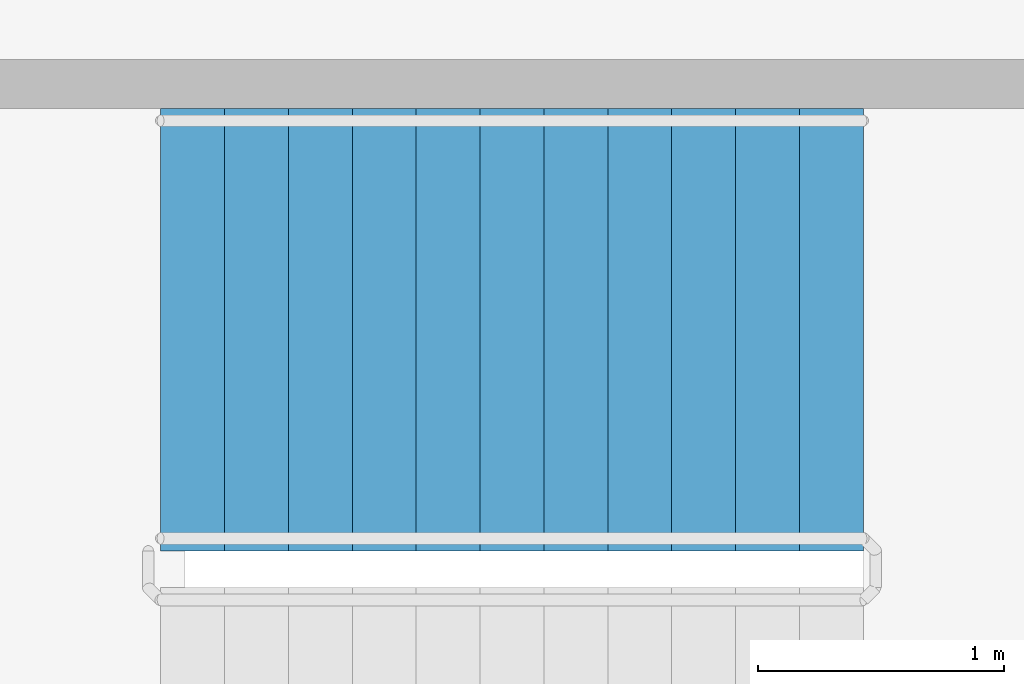
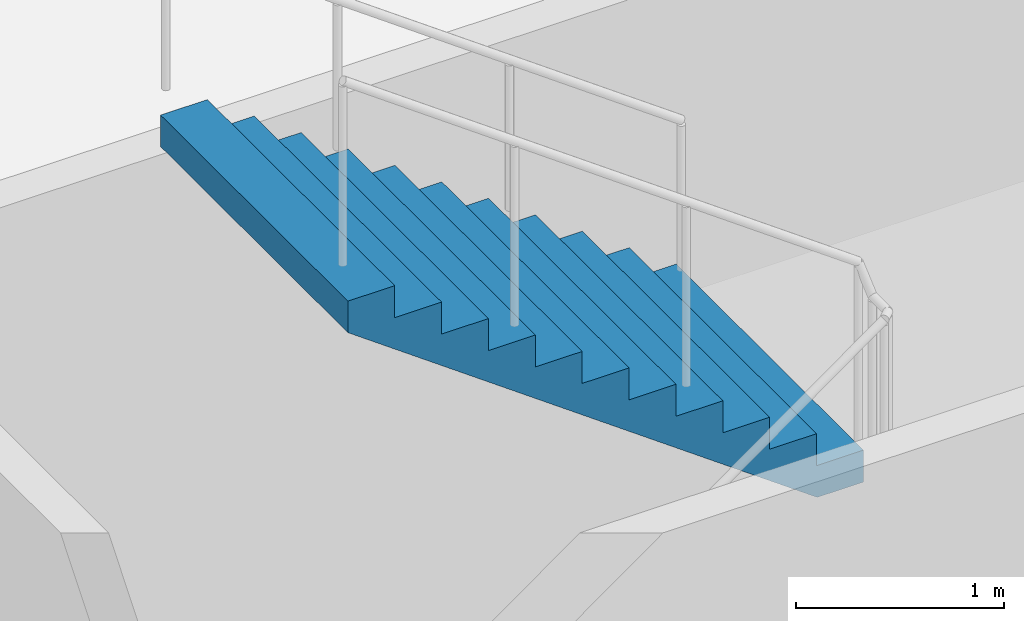
# One storey, part 37 of 51: 1 stair flight, 1 element without a shape of its own.
"""IFC4 building model written with IfcOpenShell, lengths in metres."""

import ifcopenshell
import ifcopenshell.guid

model = None  # the IFC model being written
_history = None  # IfcOwnerHistory: only IFC2X3 demands one
_inside = {}  # id of a spatial element -> (the spatial element, [elements in it])
_under = {}  # id of a project, library or spatial element -> (it, [spatial elements below it])
_declared = {}  # id of a project -> (the project, [libraries it declares])
_typed = {}  # id of a type object -> (the type object, [elements of that type])
_made_of = {}  # id of a material, layer set ... -> (it, [elements and type objects made of it])


def new_model(schema):
    """Start an empty IFC model of exactly this schema.

    Asked for "IFC4X3", IfcOpenShell would pick the latest addendum, in which some entities
    have other attributes; the version numbers below select the first issue.
    IFC2X3 requires an IfcOwnerHistory on every rooted entity: one is made here for all.
    """
    global model, _history
    if schema == "IFC4X3":
        model = ifcopenshell.file(schema_version=(4, 3, 0, 0))
    else:
        model = ifcopenshell.file(schema=schema)
    _inside.clear()
    _under.clear()
    _declared.clear()
    _typed.clear()
    _made_of.clear()
    _history = None
    if model.schema == "IFC2X3":
        org = make("IfcOrganization", Name="unknown")
        user = make(
            "IfcPersonAndOrganization",
            ThePerson=make("IfcPerson", FamilyName="unknown"),
            TheOrganization=org,
        )
        app = make(
            "IfcApplication",
            ApplicationDeveloper=org,
            Version="unknown",
            ApplicationFullName="unknown",
            ApplicationIdentifier="unknown",
        )
        _history = make(
            "IfcOwnerHistory",
            OwningUser=user,
            OwningApplication=app,
            ChangeAction="ADDED",
            CreationDate=0,
        )
    return model


def make(cls, **values):
    """One entity of the class cls with the attributes given. An attribute that is None is left unset."""
    return model.create_entity(
        cls, **{name: value for name, value in values.items() if value is not None}
    )


def rooted(cls, **values):
    """An entity with a GlobalId (a new one), such as an element, a storey or a relation."""
    return make(cls, GlobalId=ifcopenshell.guid.new(), OwnerHistory=_history, **values)


def si_unit(unit_type, name, prefix=None):
    """IfcSIUnit, for example si_unit("LENGTHUNIT", "METRE", prefix="MILLI")."""
    return make("IfcSIUnit", UnitType=unit_type, Prefix=prefix, Name=name)


def assignment(units):
    """IfcUnitAssignment: the units of a project."""
    return None if units is None else make("IfcUnitAssignment", Units=units)


def point(xyz):
    """IfcCartesianPoint."""
    return None if xyz is None else make("IfcCartesianPoint", Coordinates=xyz)


def direction(xyz):
    """IfcDirection."""
    return None if xyz is None else make("IfcDirection", DirectionRatios=xyz)


def frame(location, z_axis=None, x_axis=None):
    """IfcAxis2Placement3D, a coordinate frame: its origin and axes. An axis left out is left unset."""
    return make(
        "IfcAxis2Placement3D",
        Location=point(location),
        Axis=direction(z_axis),
        RefDirection=direction(x_axis),
    )


def origin():
    """The frame at (0, 0, 0) with its axes left unset."""
    return frame((0.0, 0.0, 0.0))


def place(relative_to, where):
    """IfcLocalPlacement: puts the frame where relative to a parent placement (None: the world)."""
    return make(
        "IfcLocalPlacement", PlacementRelTo=relative_to, RelativePlacement=where
    )


def context(
    kind, dimensions, precision=None, world=None, true_north=None, identifier=None
):
    """IfcGeometricRepresentationContext, for example the 3D "Model" context."""
    return make(
        "IfcGeometricRepresentationContext",
        ContextIdentifier=identifier,
        ContextType=kind,
        CoordinateSpaceDimension=dimensions,
        Precision=precision,
        WorldCoordinateSystem=world,
        TrueNorth=true_north,
    )


def subcontext(parent, identifier, kind, view, scale=None):
    """IfcGeometricRepresentationSubContext, for example "Body" below "Model"."""
    return make(
        "IfcGeometricRepresentationSubContext",
        ContextIdentifier=identifier,
        ContextType=kind,
        ParentContext=parent,
        TargetScale=scale,
        TargetView=view,
    )


def project(units=None, contexts=None):
    """IfcProject with its units and contexts."""
    return rooted(
        "IfcProject",
        Name="project",
        RepresentationContexts=contexts,
        UnitsInContext=assignment(units),
    )


def spatial(cls, under=None, at=None, **own):
    """A site, building, storey or space (cls), placed at a placement, below another one or the project."""
    s = rooted(cls, ObjectPlacement=at, **own)
    if under is not None:
        _under.setdefault(under.id(), (under, []))[1].append(s)
    return s


def faces_of(points, faces, orient=None, outer=None):
    """IfcFace entities. A face is a list of loops; a loop is a list of indices into points, from 0.

    orient and outer hold one flag for each loop. By default every Orientation is true, the
    first loop of a face is its IfcFaceOuterBound and the others are IfcFaceBound.
    """
    made = []
    for i, loops in enumerate(faces):
        bounds = []
        for j, loop in enumerate(loops):
            is_outer = j == 0 if outer is None else outer[i][j]
            bounds.append(
                make(
                    "IfcFaceOuterBound" if is_outer else "IfcFaceBound",
                    Bound=make("IfcPolyLoop", Polygon=[points[k] for k in loop]),
                    Orientation=True if orient is None else orient[i][j],
                )
            )
        made.append(make("IfcFace", Bounds=bounds))
    return made


def faceted_brep(points, faces, orient=None, outer=None, voids=None):
    """IfcFacetedBrep: a solid bounded by flat faces; with voids (closed shells), ...WithVoids."""
    shared = [point(p) for p in points]
    hull = make("IfcClosedShell", CfsFaces=faces_of(shared, faces, orient, outer))
    if voids is None:
        return make("IfcFacetedBrep", Outer=hull)
    return make(
        "IfcFacetedBrepWithVoids",
        Outer=hull,
        Voids=[
            make(cls, CfsFaces=faces_of(shared, fs, o, b)) for cls, fs, o, b in voids
        ],
    )


def shape(context_of_items, identifier, shape_type, items):
    """IfcShapeRepresentation: the items that make up one representation, for example the "Body"."""
    return make(
        "IfcShapeRepresentation",
        ContextOfItems=context_of_items,
        RepresentationIdentifier=identifier,
        RepresentationType=shape_type,
        Items=items,
    )


def material(Name=None, Category=None):
    """IfcMaterial."""
    return make("IfcMaterial", Name=Name, Category=Category)


def made_of(thing, what):
    """Note that an element or type object is made of a material, layer set ...; save() writes the relation."""
    if what is not None:
        _made_of.setdefault(what.id(), (what, []))[1].append(thing)
    return thing


def type_object(cls, material=None, **own):
    """A type object (cls), such as IfcWallType, which elements share."""
    return made_of(rooted(cls, **own), material)


def element(
    cls,
    number,
    at=None,
    inside=None,
    cuts=None,
    type_object=None,
    material=None,
    context=None,
    identifier="Body",
    shape_type=None,
    held_by="IfcProductDefinitionShape",
    body=None,
    shapes=None,
    **own,
):
    """One element of the class cls, such as IfcWall. Its Tag is "e" and its number.

    at: its placement. inside: the storey or other place that contains it. cuts: it is an
    opening in that element (IfcRelVoidsElement). A single representation is given by context,
    identifier, shape_type and body (its items); several are given by shapes. held_by: the class
    of the entity that holds the representations. save() writes the other relations.
    """
    e = rooted(cls, Tag="e%d" % number, ObjectPlacement=at, **own)
    if body is not None:
        shapes = [shape(context, identifier, shape_type, body)]
    if shapes is not None:
        e.Representation = make(held_by, Representations=shapes)
    if inside is not None:
        _inside.setdefault(inside.id(), (inside, []))[1].append(e)
    if cuts is not None:
        rooted(
            "IfcRelVoidsElement", RelatingBuildingElement=cuts, RelatedOpeningElement=e
        )
    if type_object is not None:
        _typed.setdefault(type_object.id(), (type_object, []))[1].append(e)
    return made_of(e, material)


def aggregate(whole, parts):
    """IfcRelAggregates: a whole, such as a stair, and the parts it consists of."""
    return rooted("IfcRelAggregates", RelatingObject=whole, RelatedObjects=parts)


def save(model, path):
    """Write the relations noted so far, then the file.

    IfcRelAggregates (storeys below a building ...), IfcRelContainedInSpatialStructure (elements
    in a storey), IfcRelDefinesByType, IfcRelAssociatesMaterial and IfcRelDeclares: one each for
    every whole, place, type object, material and project.
    """
    for whole, parts in _under.values():
        aggregate(whole, parts)
    for where, things in _inside.values():
        rooted(
            "IfcRelContainedInSpatialStructure",
            RelatedElements=things,
            RelatingStructure=where,
        )
    for kind, things in _typed.values():
        rooted("IfcRelDefinesByType", RelatedObjects=things, RelatingType=kind)
    for what, things in _made_of.values():
        rooted("IfcRelAssociatesMaterial", RelatedObjects=things, RelatingMaterial=what)
    for by, libraries in _declared.values():
        rooted("IfcRelDeclares", RelatingContext=by, RelatedDefinitions=libraries)
    model.write(path)


model = new_model("IFC4")

# Units and contexts
model_context = context("Model", 3, precision=1e-05, world=origin(), true_north=direction((0.0, 1.0)))
body_context = subcontext(model_context, "Body", "Model", "MODEL_VIEW")
ifc_project = project(units=[si_unit("LENGTHUNIT", "METRE"), si_unit("AREAUNIT", "SQUARE_METRE"), si_unit("VOLUMEUNIT", "CUBIC_METRE"), si_unit("PLANEANGLEUNIT", "RADIAN"), si_unit("MASSUNIT", "GRAM", prefix="KILO")], contexts=[model_context])

# Site, building, storey
site_placement = place(None, origin())
site = spatial("IfcSite", under=ifc_project, at=site_placement, CompositionType="ELEMENT")
building_placement = place(site_placement, origin())
building = spatial("IfcBuilding", under=site, at=building_placement, Name="Ipe Terrace Towers", CompositionType="ELEMENT")
storey_placement = place(building_placement, frame((0.0, 0.0, 15.5)))
storey = spatial("IfcBuildingStorey", under=building, at=storey_placement, Name="L03", CompositionType="ELEMENT", Elevation=15.5)

# Stair, stair flight
ifc_material_1 = material(Name="Concrete C30/37", Category="concrete")
stair_type = type_object("IfcStairType", Name="Protected exit stair", PredefinedType="HALF_TURN_STAIR", material=ifc_material_1)
stair_placement = place(storey_placement, origin())
stair = element("IfcStair", 1, at=stair_placement, inside=storey, type_object=stair_type, Name="L03 Podium exit stair PS5", PredefinedType="HALF_TURN_STAIR")
ifc_material_2 = material(Name="Concrete C30/37", Category="concrete")
stair_flight_type = type_object("IfcStairFlightType", Name="Exit stair flight 1800", PredefinedType="STRAIGHT", material=ifc_material_2)
stair_flight_placement = place(storey_placement, frame((-0.889892578125, -20.550048828125, 2.25), z_axis=(0.0, 0.0, 1.0), x_axis=(-1.0, 0.0, 0.0)))
stair_flight = element("IfcStairFlight", 2, at=stair_flight_placement, type_object=stair_flight_type, Name="PS5 flight 2", NumberOfRisers=12, NumberOfTreads=11, PredefinedType="STRAIGHT", RiserHeight=0.1875, TreadLength=0.26, context=body_context, shape_type="Brep", body=[
    faceted_brep([(0.25634765625, -0.89990234375, 0.0), (2.860107421875, -0.89990234375, 1.877685546875), (2.860107421875, -0.89990234375, 2.0625), (2.60009765625, -0.89990234375, 2.0625), (2.60009765625, -0.89990234375, 1.875), (2.340087890625, -0.89990234375, 1.875), (2.340087890625, -0.89990234375, 1.6875), (2.080078125, -0.89990234375, 1.6875), (2.080078125, -0.89990234375, 1.5), (1.820068359375, -0.89990234375, 1.5), (1.820068359375, -0.89990234375, 1.3125), (1.56005859375, -0.89990234375, 1.3125), (1.56005859375, -0.89990234375, 1.125), (1.300048828125, -0.89990234375, 1.125), (1.300048828125, -0.89990234375, 0.9375), (1.0400390625, -0.89990234375, 0.9375), (1.0400390625, -0.89990234375, 0.75), (0.780029296875, -0.89990234375, 0.75), (0.780029296875, -0.89990234375, 0.5625), (0.52001953125, -0.89990234375, 0.5625), (0.52001953125, -0.89990234375, 0.375), (0.260009765625, -0.89990234375, 0.375), (0.260009765625, -0.89990234375, 0.1875), (0.0, -0.89990234375, 0.1875), (0.0, -0.89990234375, 0.0), (0.0, 0.89990234375, 0.0), (0.0, 0.89990234375, 0.1875), (0.260009765625, 0.89990234375, 0.1875), (0.260009765625, 0.89990234375, 0.375), (0.52001953125, 0.89990234375, 0.375), (0.52001953125, 0.89990234375, 0.5625), (0.780029296875, 0.89990234375, 0.5625), (0.780029296875, 0.89990234375, 0.75), (1.0400390625, 0.89990234375, 0.75), (1.0400390625, 0.89990234375, 0.9375), (1.300048828125, 0.89990234375, 0.9375), (1.300048828125, 0.89990234375, 1.125), (1.56005859375, 0.89990234375, 1.125), (1.56005859375, 0.89990234375, 1.3125), (1.820068359375, 0.89990234375, 1.3125), (1.820068359375, 0.89990234375, 1.5), (2.080078125, 0.89990234375, 1.5), (2.080078125, 0.89990234375, 1.6875), (2.340087890625, 0.89990234375, 1.6875), (2.340087890625, 0.89990234375, 1.875), (2.60009765625, 0.89990234375, 1.875), (2.60009765625, 0.89990234375, 2.0625), (2.860107421875, 0.89990234375, 2.0625), (2.860107421875, 0.89990234375, 1.877685546875), (0.25634765625, 0.89990234375, 0.0), (0.0, -0.300048828125, 0.1875), (0.0, -0.1201171875, 0.1875), (0.0, -0.06005859375, 0.1875), (0.0, -0.030029296875, 0.1875), (0.0, -0.010009765625, 0.1875), (0.0, 0.0, 0.1875), (0.0, 0.010009765625, 0.1875), (0.0, 0.030029296875, 0.1875), (0.0, 0.06005859375, 0.1875), (0.0, 0.1201171875, 0.1875), (0.0, 0.300048828125, 0.1875), (0.0, 0.300048828125, 0.0), (0.0, 0.1201171875, 0.0), (0.0, 0.06005859375, 0.0), (0.0, 0.030029296875, 0.0), (0.0, 0.010009765625, 0.0), (0.0, 0.0, 0.0), (0.0, -0.010009765625, 0.0), (0.0, -0.030029296875, 0.0), (0.0, -0.06005859375, 0.0), (0.0, -0.1201171875, 0.0), (0.0, -0.300048828125, 0.0), (0.260009765625, -0.300048828125, 0.1875), (0.260009765625, -0.1201171875, 0.1875), (0.260009765625, -0.06005859375, 0.1875), (0.260009765625, -0.030029296875, 0.1875), (0.260009765625, -0.010009765625, 0.1875), (0.260009765625, 0.0, 0.1875), (0.260009765625, 0.010009765625, 0.1875), (0.260009765625, 0.030029296875, 0.1875), (0.260009765625, 0.06005859375, 0.1875), (0.260009765625, 0.1201171875, 0.1875), (0.260009765625, 0.300048828125, 0.1875), (0.260009765625, -0.300048828125, 0.375), (0.260009765625, -0.1201171875, 0.375), (0.260009765625, -0.06005859375, 0.375), (0.260009765625, -0.030029296875, 0.375), (0.260009765625, -0.010009765625, 0.375), (0.260009765625, 0.0, 0.375), (0.260009765625, 0.010009765625, 0.375), (0.260009765625, 0.030029296875, 0.375), (0.260009765625, 0.06005859375, 0.375), (0.260009765625, 0.1201171875, 0.375), (0.260009765625, 0.300048828125, 0.375), (0.52001953125, -0.300048828125, 0.375), (0.52001953125, -0.1201171875, 0.375), (0.52001953125, -0.06005859375, 0.375), (0.52001953125, -0.030029296875, 0.375), (0.52001953125, -0.010009765625, 0.375), (0.52001953125, 0.0, 0.375), (0.52001953125, 0.010009765625, 0.375), (0.52001953125, 0.030029296875, 0.375), (0.52001953125, 0.06005859375, 0.375), (0.52001953125, 0.1201171875, 0.375), (0.52001953125, 0.300048828125, 0.375), (0.52001953125, -0.300048828125, 0.5625), (0.52001953125, -0.1201171875, 0.5625), (0.52001953125, -0.06005859375, 0.5625), (0.52001953125, -0.030029296875, 0.5625), (0.52001953125, -0.010009765625, 0.5625), (0.52001953125, 0.0, 0.5625), (0.52001953125, 0.010009765625, 0.5625), (0.52001953125, 0.030029296875, 0.5625), (0.52001953125, 0.06005859375, 0.5625), (0.52001953125, 0.1201171875, 0.5625), (0.52001953125, 0.300048828125, 0.5625), (0.780029296875, -0.300048828125, 0.5625), (0.780029296875, -0.1201171875, 0.5625), (0.780029296875, -0.06005859375, 0.5625), (0.780029296875, -0.030029296875, 0.5625), (0.780029296875, -0.010009765625, 0.5625), (0.780029296875, 0.0, 0.5625), (0.780029296875, 0.010009765625, 0.5625), (0.780029296875, 0.030029296875, 0.5625), (0.780029296875, 0.06005859375, 0.5625), (0.780029296875, 0.1201171875, 0.5625), (0.780029296875, 0.300048828125, 0.5625), (0.780029296875, -0.300048828125, 0.75), (0.780029296875, -0.1201171875, 0.75), (0.780029296875, -0.06005859375, 0.75), (0.780029296875, -0.030029296875, 0.75), (0.780029296875, -0.010009765625, 0.75), (0.780029296875, 0.0, 0.75), (0.780029296875, 0.010009765625, 0.75), (0.780029296875, 0.030029296875, 0.75), (0.780029296875, 0.06005859375, 0.75), (0.780029296875, 0.1201171875, 0.75), (0.780029296875, 0.300048828125, 0.75), (1.0400390625, -0.300048828125, 0.75), (1.0400390625, -0.1201171875, 0.75), (1.0400390625, -0.06005859375, 0.75), (1.0400390625, -0.030029296875, 0.75), (1.0400390625, -0.010009765625, 0.75), (1.0400390625, 0.0, 0.75), (1.0400390625, 0.010009765625, 0.75), (1.0400390625, 0.030029296875, 0.75), (1.0400390625, 0.06005859375, 0.75), (1.0400390625, 0.1201171875, 0.75), (1.0400390625, 0.300048828125, 0.75), (1.0400390625, -0.300048828125, 0.9375), (1.0400390625, -0.1201171875, 0.9375), (1.0400390625, -0.06005859375, 0.9375), (1.0400390625, -0.030029296875, 0.9375), (1.0400390625, -0.010009765625, 0.9375), (1.0400390625, 0.0, 0.9375), (1.0400390625, 0.010009765625, 0.9375), (1.0400390625, 0.030029296875, 0.9375), (1.0400390625, 0.06005859375, 0.9375), (1.0400390625, 0.1201171875, 0.9375), (1.0400390625, 0.300048828125, 0.9375), (1.300048828125, -0.300048828125, 0.9375), (1.300048828125, -0.1201171875, 0.9375), (1.300048828125, -0.06005859375, 0.9375), (1.300048828125, -0.030029296875, 0.9375), (1.300048828125, -0.010009765625, 0.9375), (1.300048828125, 0.0, 0.9375), (1.300048828125, 0.010009765625, 0.9375), (1.300048828125, 0.030029296875, 0.9375), (1.300048828125, 0.06005859375, 0.9375), (1.300048828125, 0.1201171875, 0.9375), (1.300048828125, 0.300048828125, 0.9375), (1.300048828125, -0.300048828125, 1.125), (1.300048828125, -0.1201171875, 1.125), (1.300048828125, -0.06005859375, 1.125), (1.300048828125, -0.030029296875, 1.125), (1.300048828125, -0.010009765625, 1.125), (1.300048828125, 0.0, 1.125), (1.300048828125, 0.010009765625, 1.125), (1.300048828125, 0.030029296875, 1.125), (1.300048828125, 0.06005859375, 1.125), (1.300048828125, 0.1201171875, 1.125), (1.300048828125, 0.300048828125, 1.125), (1.56005859375, -0.300048828125, 1.125), (1.56005859375, -0.1201171875, 1.125), (1.56005859375, -0.06005859375, 1.125), (1.56005859375, -0.030029296875, 1.125), (1.56005859375, -0.010009765625, 1.125), (1.56005859375, 0.0, 1.125), (1.56005859375, 0.010009765625, 1.125), (1.56005859375, 0.030029296875, 1.125), (1.56005859375, 0.06005859375, 1.125), (1.56005859375, 0.1201171875, 1.125), (1.56005859375, 0.300048828125, 1.125), (1.56005859375, -0.300048828125, 1.3125), (1.56005859375, -0.1201171875, 1.3125), (1.56005859375, -0.06005859375, 1.3125), (1.56005859375, -0.030029296875, 1.3125), (1.56005859375, -0.010009765625, 1.3125), (1.56005859375, 0.0, 1.3125), (1.56005859375, 0.010009765625, 1.3125), (1.56005859375, 0.030029296875, 1.3125), (1.56005859375, 0.06005859375, 1.3125), (1.56005859375, 0.1201171875, 1.3125), (1.56005859375, 0.300048828125, 1.3125), (1.820068359375, -0.300048828125, 1.3125), (1.820068359375, -0.1201171875, 1.3125), (1.820068359375, -0.06005859375, 1.3125), (1.820068359375, -0.030029296875, 1.3125), (1.820068359375, -0.010009765625, 1.3125), (1.820068359375, 0.0, 1.3125), (1.820068359375, 0.010009765625, 1.3125), (1.820068359375, 0.030029296875, 1.3125), (1.820068359375, 0.06005859375, 1.3125), (1.820068359375, 0.1201171875, 1.3125), (1.820068359375, 0.300048828125, 1.3125), (1.820068359375, -0.300048828125, 1.5), (1.820068359375, -0.1201171875, 1.5), (1.820068359375, -0.06005859375, 1.5), (1.820068359375, -0.030029296875, 1.5), (1.820068359375, -0.010009765625, 1.5), (1.820068359375, 0.0, 1.5), (1.820068359375, 0.010009765625, 1.5), (1.820068359375, 0.030029296875, 1.5), (1.820068359375, 0.06005859375, 1.5), (1.820068359375, 0.1201171875, 1.5), (1.820068359375, 0.300048828125, 1.5), (2.080078125, -0.300048828125, 1.5), (2.080078125, -0.1201171875, 1.5), (2.080078125, -0.06005859375, 1.5), (2.080078125, -0.030029296875, 1.5), (2.080078125, -0.010009765625, 1.5), (2.080078125, 0.0, 1.5), (2.080078125, 0.010009765625, 1.5), (2.080078125, 0.030029296875, 1.5), (2.080078125, 0.06005859375, 1.5), (2.080078125, 0.1201171875, 1.5), (2.080078125, 0.300048828125, 1.5), (2.080078125, -0.300048828125, 1.6875), (2.080078125, -0.1201171875, 1.6875), (2.080078125, -0.06005859375, 1.6875), (2.080078125, -0.030029296875, 1.6875), (2.080078125, -0.010009765625, 1.6875), (2.080078125, 0.0, 1.6875), (2.080078125, 0.010009765625, 1.6875), (2.080078125, 0.030029296875, 1.6875), (2.080078125, 0.06005859375, 1.6875), (2.080078125, 0.1201171875, 1.6875), (2.080078125, 0.300048828125, 1.6875), (2.340087890625, -0.300048828125, 1.6875), (2.340087890625, -0.1201171875, 1.6875), (2.340087890625, -0.06005859375, 1.6875), (2.340087890625, -0.030029296875, 1.6875), (2.340087890625, -0.010009765625, 1.6875), (2.340087890625, 0.0, 1.6875), (2.340087890625, 0.010009765625, 1.6875), (2.340087890625, 0.030029296875, 1.6875), (2.340087890625, 0.06005859375, 1.6875), (2.340087890625, 0.1201171875, 1.6875), (2.340087890625, 0.300048828125, 1.6875), (2.340087890625, -0.300048828125, 1.875), (2.340087890625, -0.1201171875, 1.875), (2.340087890625, -0.06005859375, 1.875), (2.340087890625, -0.030029296875, 1.875), (2.340087890625, -0.010009765625, 1.875), (2.340087890625, 0.0, 1.875), (2.340087890625, 0.010009765625, 1.875), (2.340087890625, 0.030029296875, 1.875), (2.340087890625, 0.06005859375, 1.875), (2.340087890625, 0.1201171875, 1.875), (2.340087890625, 0.300048828125, 1.875), (2.60009765625, -0.300048828125, 1.875), (2.60009765625, -0.1201171875, 1.875), (2.60009765625, -0.06005859375, 1.875), (2.60009765625, -0.030029296875, 1.875), (2.60009765625, -0.010009765625, 1.875), (2.60009765625, 0.0, 1.875), (2.60009765625, 0.010009765625, 1.875), (2.60009765625, 0.030029296875, 1.875), (2.60009765625, 0.06005859375, 1.875), (2.60009765625, 0.1201171875, 1.875), (2.60009765625, 0.300048828125, 1.875), (2.60009765625, -0.300048828125, 2.0625), (2.60009765625, -0.1201171875, 2.0625), (2.60009765625, -0.06005859375, 2.0625), (2.60009765625, -0.030029296875, 2.0625), (2.60009765625, -0.010009765625, 2.0625), (2.60009765625, 0.0, 2.0625), (2.60009765625, 0.010009765625, 2.0625), (2.60009765625, 0.030029296875, 2.0625), (2.60009765625, 0.06005859375, 2.0625), (2.60009765625, 0.1201171875, 2.0625), (2.60009765625, 0.300048828125, 2.0625), (2.860107421875, -0.300048828125, 2.0625), (2.860107421875, -0.1201171875, 2.0625), (2.860107421875, -0.06005859375, 2.0625), (2.860107421875, -0.030029296875, 2.0625), (2.860107421875, -0.010009765625, 2.0625), (2.860107421875, 0.0, 2.0625), (2.860107421875, 0.010009765625, 2.0625), (2.860107421875, 0.030029296875, 2.0625), (2.860107421875, 0.06005859375, 2.0625), (2.860107421875, 0.1201171875, 2.0625), (2.860107421875, 0.300048828125, 2.0625), (2.860107421875, -0.300048828125, 1.877685546875), (2.860107421875, -0.1201171875, 1.877685546875), (2.860107421875, -0.06005859375, 1.877685546875), (2.860107421875, -0.030029296875, 1.877685546875), (2.860107421875, -0.010009765625, 1.877685546875), (2.860107421875, 0.0, 1.877685546875), (2.860107421875, 0.010009765625, 1.877685546875), (2.860107421875, 0.030029296875, 1.877685546875), (2.860107421875, 0.06005859375, 1.877685546875), (2.860107421875, 0.1201171875, 1.877685546875), (2.860107421875, 0.300048828125, 1.877685546875), (0.25634765625, -0.300048828125, 0.0), (0.25634765625, -0.1201171875, 0.0), (0.25634765625, -0.06005859375, 0.0), (0.25634765625, -0.030029296875, 0.0), (0.25634765625, -0.010009765625, 0.0), (0.25634765625, 0.0, 0.0), (0.25634765625, 0.010009765625, 0.0), (0.25634765625, 0.030029296875, 0.0), (0.25634765625, 0.06005859375, 0.0), (0.25634765625, 0.1201171875, 0.0), (0.25634765625, 0.300048828125, 0.0)], [[[0, 1, 2, 3, 4, 5, 6, 7, 8, 9, 10, 11, 12, 13, 14, 15, 16, 17, 18, 19, 20, 21, 22, 23, 24]], [[25, 26, 27, 28, 29, 30, 31, 32, 33, 34, 35, 36, 37, 38, 39, 40, 41, 42, 43, 44, 45, 46, 47, 48, 49]], [[23, 50, 51, 52, 53, 54, 55, 56, 57, 58, 59, 60, 26, 25, 61, 62, 63, 64, 65, 66, 67, 68, 69, 70, 71, 24]], [[22, 72, 73, 74, 75, 76, 77, 78, 79, 80, 81, 82, 27, 26, 60, 59, 58, 57, 56, 55, 54, 53, 52, 51, 50, 23]], [[21, 83, 84, 85, 86, 87, 88, 89, 90, 91, 92, 93, 28, 27, 82, 81, 80, 79, 78, 77, 76, 75, 74, 73, 72, 22]], [[20, 94, 95, 96, 97, 98, 99, 100, 101, 102, 103, 104, 29, 28, 93, 92, 91, 90, 89, 88, 87, 86, 85, 84, 83, 21]], [[19, 105, 106, 107, 108, 109, 110, 111, 112, 113, 114, 115, 30, 29, 104, 103, 102, 101, 100, 99, 98, 97, 96, 95, 94, 20]], [[18, 116, 117, 118, 119, 120, 121, 122, 123, 124, 125, 126, 31, 30, 115, 114, 113, 112, 111, 110, 109, 108, 107, 106, 105, 19]], [[17, 127, 128, 129, 130, 131, 132, 133, 134, 135, 136, 137, 32, 31, 126, 125, 124, 123, 122, 121, 120, 119, 118, 117, 116, 18]], [[16, 138, 139, 140, 141, 142, 143, 144, 145, 146, 147, 148, 33, 32, 137, 136, 135, 134, 133, 132, 131, 130, 129, 128, 127, 17]], [[15, 149, 150, 151, 152, 153, 154, 155, 156, 157, 158, 159, 34, 33, 148, 147, 146, 145, 144, 143, 142, 141, 140, 139, 138, 16]], [[14, 160, 161, 162, 163, 164, 165, 166, 167, 168, 169, 170, 35, 34, 159, 158, 157, 156, 155, 154, 153, 152, 151, 150, 149, 15]], [[13, 171, 172, 173, 174, 175, 176, 177, 178, 179, 180, 181, 36, 35, 170, 169, 168, 167, 166, 165, 164, 163, 162, 161, 160, 14]], [[12, 182, 183, 184, 185, 186, 187, 188, 189, 190, 191, 192, 37, 36, 181, 180, 179, 178, 177, 176, 175, 174, 173, 172, 171, 13]], [[11, 193, 194, 195, 196, 197, 198, 199, 200, 201, 202, 203, 38, 37, 192, 191, 190, 189, 188, 187, 186, 185, 184, 183, 182, 12]], [[10, 204, 205, 206, 207, 208, 209, 210, 211, 212, 213, 214, 39, 38, 203, 202, 201, 200, 199, 198, 197, 196, 195, 194, 193, 11]], [[9, 215, 216, 217, 218, 219, 220, 221, 222, 223, 224, 225, 40, 39, 214, 213, 212, 211, 210, 209, 208, 207, 206, 205, 204, 10]], [[8, 226, 227, 228, 229, 230, 231, 232, 233, 234, 235, 236, 41, 40, 225, 224, 223, 222, 221, 220, 219, 218, 217, 216, 215, 9]], [[7, 237, 238, 239, 240, 241, 242, 243, 244, 245, 246, 247, 42, 41, 236, 235, 234, 233, 232, 231, 230, 229, 228, 227, 226, 8]], [[6, 248, 249, 250, 251, 252, 253, 254, 255, 256, 257, 258, 43, 42, 247, 246, 245, 244, 243, 242, 241, 240, 239, 238, 237, 7]], [[5, 259, 260, 261, 262, 263, 264, 265, 266, 267, 268, 269, 44, 43, 258, 257, 256, 255, 254, 253, 252, 251, 250, 249, 248, 6]], [[4, 270, 271, 272, 273, 274, 275, 276, 277, 278, 279, 280, 45, 44, 269, 268, 267, 266, 265, 264, 263, 262, 261, 260, 259, 5]], [[3, 281, 282, 283, 284, 285, 286, 287, 288, 289, 290, 291, 46, 45, 280, 279, 278, 277, 276, 275, 274, 273, 272, 271, 270, 4]], [[2, 292, 293, 294, 295, 296, 297, 298, 299, 300, 301, 302, 47, 46, 291, 290, 289, 288, 287, 286, 285, 284, 283, 282, 281, 3]], [[1, 303, 304, 305, 306, 307, 308, 309, 310, 311, 312, 313, 48, 47, 302, 301, 300, 299, 298, 297, 296, 295, 294, 293, 292, 2]], [[0, 314, 315, 316, 317, 318, 319, 320, 321, 322, 323, 324, 49, 48, 313, 312, 311, 310, 309, 308, 307, 306, 305, 304, 303, 1]], [[24, 71, 70, 69, 68, 67, 66, 65, 64, 63, 62, 61, 25, 49, 324, 323, 322, 321, 320, 319, 318, 317, 316, 315, 314, 0]]]),
])
aggregate(stair, [stair_flight])

save(model, "model.ifc")
